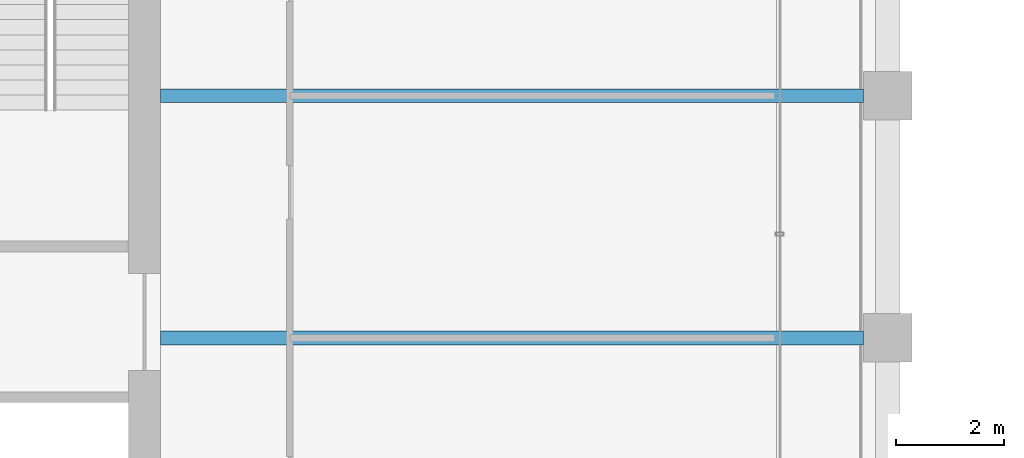
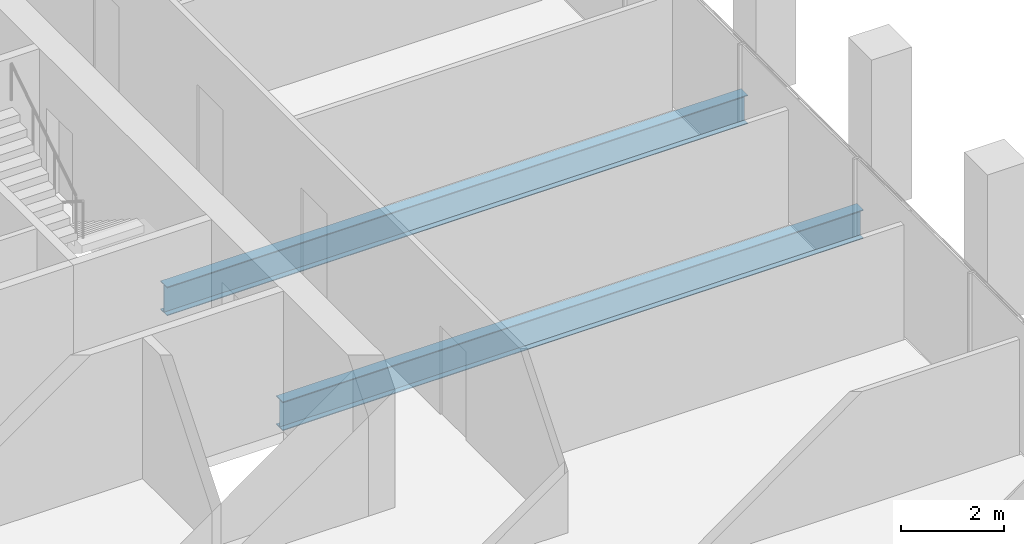
# One storey, part 16 of 40: 2 beams.
"""IFC4 building model written with IfcOpenShell, lengths in metres."""

from ifc_helpers import new_model, si_unit, direction, frame, origin, origin_2d, place, context, subcontext, project, spatial, i_section, extrude, material, material_profile, profile_set, type_object, element, save


model = new_model("IFC4")

# Units and contexts
model_context = context("Model", 3, precision=1e-05, world=origin(), true_north=direction((0.0, 1.0)))
body_context = subcontext(model_context, "Body", "Model", "MODEL_VIEW")
ifc_project = project(units=[si_unit("LENGTHUNIT", "METRE"), si_unit("AREAUNIT", "SQUARE_METRE"), si_unit("VOLUMEUNIT", "CUBIC_METRE"), si_unit("PLANEANGLEUNIT", "RADIAN"), si_unit("MASSUNIT", "GRAM", prefix="KILO")], contexts=[model_context])

# Site, building, storey
site_placement = place(None, origin())
site = spatial("IfcSite", under=ifc_project, at=site_placement, CompositionType="ELEMENT")
building_placement = place(site_placement, origin())
building = spatial("IfcBuilding", under=site, at=building_placement, Name="Altepetl Exchange Towers", CompositionType="ELEMENT")
storey_placement = place(building_placement, frame((0.0, 0.0, 176.199951171875)))
storey = spatial("IfcBuildingStorey", under=building, at=storey_placement, Name="L44", CompositionType="ELEMENT", Elevation=176.199951171875)

# Beams
ifc_material = material(Name="Steel S355", Category="steel")
ifc_material_profile = material_profile(ifc_material, i_section(OverallWidth=0.25390625, OverallDepth=0.68408203125, WebThickness=0.012451171875, FlangeThickness=0.018798828125, at=origin_2d()), Name="W27X94")
ifc_profile_set = profile_set([ifc_material_profile], Name="Steel S355")
beam_type = type_object("IfcBeamType", Name="Floor beam W27X94", PredefinedType="BEAM", material=ifc_profile_set)
for number, where, z_axis, x_axis, name in (
    (1, (58.5, 45.0, -0.491943359375), (1.0, 0.0, 0.0), (0.0, 1.0, 0.0), "bm:A:L44:009"),
    (2, (58.5, 49.5, -0.491943359375), (1.0, 0.0, 0.0), (0.0, 1.0, 0.0), "bm:A:L44:010"),
):
    element("IfcBeam", number, at=place(storey_placement, frame(where, z_axis=z_axis, x_axis=x_axis)), inside=storey, type_object=beam_type, Name=name, PredefinedType="BEAM", context=body_context, shape_type="SweptSolid", body=[
        extrude(i_section(OverallWidth=0.25390625, OverallDepth=0.68408203125, WebThickness=0.012451171875, FlangeThickness=0.018798828125, at=origin_2d()), origin(), (0.0, 0.0, 1.0), 13.050048828125),
    ])

save(model, "model.ifc")
